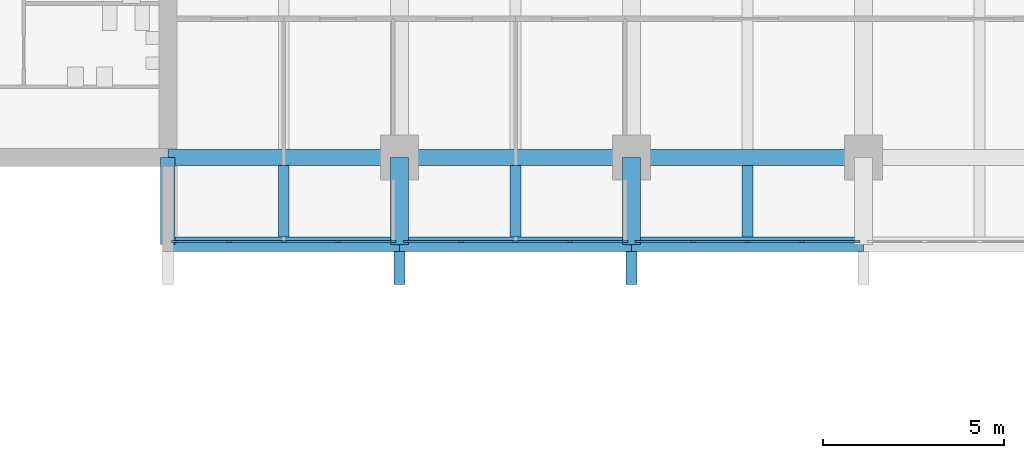
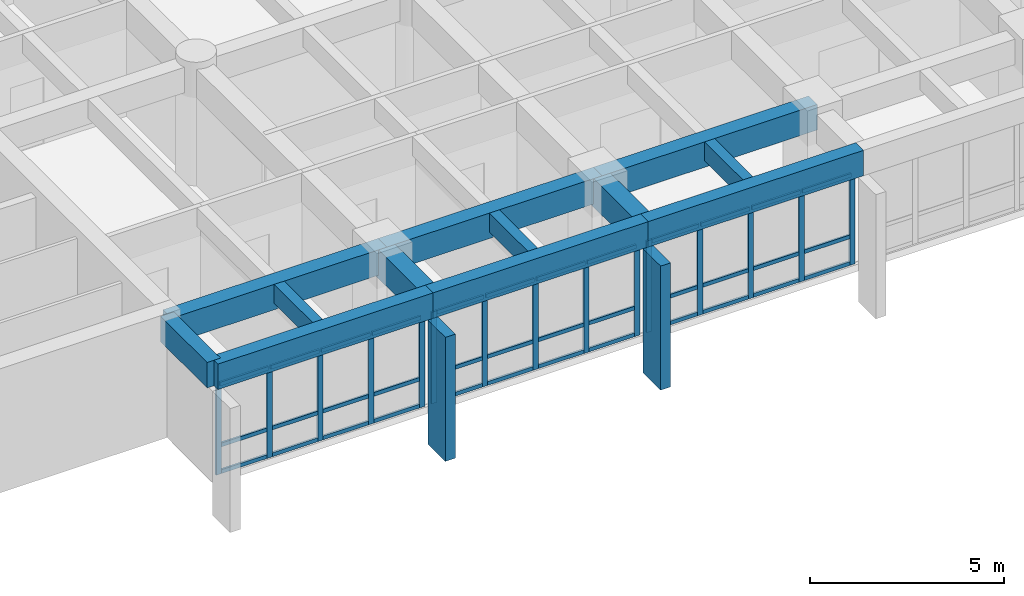
# One storey, part 2 of 19: 53 members, 12 beams, 3 elements without a shape of their own.
"""IFC4 building model written with IfcOpenShell, lengths in metres."""

from ifc_helpers import new_model, si_unit, direction, frame, origin, origin_2d, place, context, subcontext, project, spatial, rectangle, extrude, material, layer, layer_set, material_profile, profile_set, type_object, element, aggregate, save


model = new_model("IFC4")

# Units and contexts
model_context = context("Model", 3, precision=1e-05, world=origin(), true_north=direction((0.0, 1.0)))
body_context = subcontext(model_context, "Body", "Model", "MODEL_VIEW")
ifc_project = project(units=[si_unit("LENGTHUNIT", "METRE"), si_unit("AREAUNIT", "SQUARE_METRE"), si_unit("VOLUMEUNIT", "CUBIC_METRE"), si_unit("PLANEANGLEUNIT", "RADIAN"), si_unit("MASSUNIT", "GRAM", prefix="KILO")], contexts=[model_context])

# Site, building, storey
site_placement = place(None, origin())
site = spatial("IfcSite", under=ifc_project, at=site_placement, CompositionType="ELEMENT")
building_placement = place(site_placement, origin())
building = spatial("IfcBuilding", under=site, at=building_placement, Name="Fogon Plaza Fire Station and Headquarters Tower", CompositionType="ELEMENT")
storey_placement = place(building_placement, frame((0.0, 0.0, 24.89990234375)))
storey = spatial("IfcBuildingStorey", under=building, at=storey_placement, Name="L06", CompositionType="ELEMENT", Elevation=24.89990234375)

# Beams
ifc_material_1 = material(Name="Concrete C40", Category="concrete")
ifc_material_profile_1 = material_profile(ifc_material_1, rectangle(XDim=0.39990234375, YDim=0.800048828125, at=origin_2d()), Name="RC 400x800")
ifc_profile_set_1 = profile_set([ifc_material_profile_1], Name="Concrete C40")
beam_type_1 = type_object("IfcBeamType", Name="BEAM RC 400x800", PredefinedType="BEAM", material=ifc_profile_set_1)
for number, where, z_axis, x_axis, name in (
    (1, (25.60009765625, 31.199951171875, 3.280029296875), (1.0, 0.0, 0.0), (0.0, 1.0, 0.0), "beam-L06-039"),
    (2, (32.0, 31.199951171875, 3.280029296875), (1.0, 0.0, 0.0), (0.0, 1.0, 0.0), "beam-L06-040"),
):
    element("IfcBeam", number, at=place(storey_placement, frame(where, z_axis=z_axis, x_axis=x_axis)), inside=storey, type_object=beam_type_1, Name=name, PredefinedType="BEAM", context=body_context, shape_type="SweptSolid", body=[
        extrude(rectangle(XDim=0.39990234375, YDim=0.800048828125, at=origin_2d()), origin(), (0.0, 0.0, 1.0), 6.39990234375),
    ])
beam_1_placement = place(storey_placement, frame((38.39990234375, 31.199951171875, 3.280029296875), z_axis=(1.0, 0.0, 0.0), x_axis=(0.0, 1.0, 0.0)))
element("IfcBeam", 3, at=beam_1_placement, inside=storey, type_object=beam_type_1, Name="beam-L06-041", PredefinedType="BEAM", context=body_context, shape_type="SweptSolid", body=[
    extrude(rectangle(XDim=0.39990234375, YDim=0.800048828125, at=origin_2d()), origin(), (0.0, 0.0, 1.0), 6.400146484375),
])
ifc_material_2 = material(Name="Concrete C40", Category="concrete")
ifc_material_profile_2 = material_profile(ifc_material_2, rectangle(XDim=0.39990234375, YDim=0.800048828125, at=origin_2d()), Name="RC 400x800")
ifc_profile_set_2 = profile_set([ifc_material_profile_2], Name="Concrete C40")
beam_type_2 = type_object("IfcBeamType", Name="BEAM RC 400x800 SPAN 0.0 TO 3.0 M", PredefinedType="BEAM", material=ifc_profile_set_2)
beam_2_placement = place(storey_placement, frame((25.60009765625, 31.199951171875, 3.280029296875), z_axis=(0.0, 1.0, 0.0), x_axis=(-1.0, 0.0, 0.0)))
element("IfcBeam", 4, at=beam_2_placement, inside=storey, type_object=beam_type_2, Name="beam-L06-051", PredefinedType="BEAM", context=body_context, shape_type="SweptSolid", body=[
    extrude(rectangle(XDim=0.39990234375, YDim=0.800048828125, at=origin_2d()), origin(), (0.0, 0.0, 1.0), 2.400146484375),
])
ifc_material_3 = material(Name="Concrete C40", Category="concrete")
ifc_material_profile_3 = material_profile(ifc_material_3, rectangle(XDim=0.449951171875, YDim=0.800048828125, at=origin_2d()), Name="RC 450x800")
ifc_profile_set_3 = profile_set([ifc_material_profile_3], Name="Concrete C40")
beam_type_3 = type_object("IfcBeamType", Name="BEAM RC 450x800", PredefinedType="BEAM", material=ifc_profile_set_3)
for number, where, z_axis, x_axis, name in (
    (5, (25.60009765625, 33.60009765625, 3.280029296875), (1.0, 0.0, 0.0), (0.0, 1.0, 0.0), "beam-L06-021"),
    (6, (32.0, 33.60009765625, 3.280029296875), (1.0, 0.0, 0.0), (0.0, 1.0, 0.0), "beam-L06-022"),
):
    element("IfcBeam", number, at=place(storey_placement, frame(where, z_axis=z_axis, x_axis=x_axis)), inside=storey, type_object=beam_type_3, Name=name, PredefinedType="BEAM", context=body_context, shape_type="SweptSolid", body=[
        extrude(rectangle(XDim=0.449951171875, YDim=0.800048828125, at=origin_2d()), origin(), (0.0, 0.0, 1.0), 6.39990234375),
    ])
beam_3_placement = place(storey_placement, frame((38.39990234375, 33.60009765625, 3.280029296875), z_axis=(1.0, 0.0, 0.0), x_axis=(0.0, 1.0, 0.0)))
element("IfcBeam", 7, at=beam_3_placement, inside=storey, type_object=beam_type_3, Name="beam-L06-023", PredefinedType="BEAM", context=body_context, shape_type="SweptSolid", body=[
    extrude(rectangle(XDim=0.449951171875, YDim=0.800048828125, at=origin_2d()), origin(), (0.0, 0.0, 1.0), 6.400146484375),
])
ifc_material_4 = material(Name="Concrete C40", Category="concrete")
ifc_material_profile_4 = material_profile(ifc_material_4, rectangle(XDim=0.5, YDim=0.89990234375, at=origin_2d()), Name="RC 500x900")
ifc_profile_set_4 = profile_set([ifc_material_profile_4], Name="Concrete C40")
beam_type_4 = type_object("IfcBeamType", Name="BEAM RC 500x900 SPAN 0.0 TO 3.0 M", PredefinedType="BEAM", material=ifc_profile_set_4)
for number, where, z_axis, x_axis, name in (
    (8, (32.0, 31.199951171875, 3.22998046875), (0.0, 1.0, 0.0), (-1.0, 0.0, 0.0), "beam-L06-001"),
    (9, (38.39990234375, 31.199951171875, 3.22998046875), (0.0, 1.0, 0.0), (-1.0, 0.0, 0.0), "beam-L06-005"),
):
    element("IfcBeam", number, at=place(storey_placement, frame(where, z_axis=z_axis, x_axis=x_axis)), inside=storey, type_object=beam_type_4, Name=name, PredefinedType="BEAM", context=body_context, shape_type="SweptSolid", body=[
        extrude(rectangle(XDim=0.5, YDim=0.89990234375, at=origin_2d()), origin(), (0.0, 0.0, 1.0), 2.400146484375),
    ])

# Curtain wall, members
ifc_material_5 = material(Name="Aluminium and glass", Category="aluminium")
ifc_layer = layer(ifc_material_5, 0.14990234375)
ifc_layer_set = layer_set([ifc_layer], Name="Aluminium and glass")
curtain_wall_type = type_object("IfcCurtainWallType", Name="Unitised Curtain Wall Run 6100x2880", PredefinedType="NOTDEFINED", material=ifc_layer_set)
curtain_wall_1_placement = place(storey_placement, origin())
curtain_wall_1 = element("IfcCurtainWall", 10, at=curtain_wall_1_placement, inside=storey, type_object=curtain_wall_type, Name="CW-6100x2880 S1 L06", PredefinedType="NOTDEFINED")
ifc_material_6 = material(Name="Aluminium", Category="aluminium")
ifc_material_profile_5 = material_profile(ifc_material_6, rectangle(XDim=0.06005859375, YDim=0.159912109375, at=origin_2d()), Name="Curtain Wall Mullion 60x160")
ifc_profile_set_5 = profile_set([ifc_material_profile_5], Name="Aluminium")
member_type_1 = type_object("IfcMemberType", Name="Curtain Wall Mullion 60x160", PredefinedType="MULLION", material=ifc_profile_set_5)
member_1_placement = place(storey_placement, frame((25.780029296875, 31.280029296875, 0.0), z_axis=(0.0, 0.0, 1.0), x_axis=(0.0, 1.0, 0.0)))
member_1 = element("IfcMember", 11, at=member_1_placement, type_object=member_type_1, Name="CW-6100x2880 mullion 1", PredefinedType="MULLION", context=body_context, shape_type="SweptSolid", body=[
    extrude(rectangle(XDim=0.06005859375, YDim=0.159912109375, at=origin_2d()), origin(), (0.0, 0.0, 1.0), 2.880126953125),
])
member_2_placement = place(storey_placement, frame((27.2900390625, 31.280029296875, 0.0), z_axis=(0.0, 0.0, 1.0), x_axis=(0.0, 1.0, 0.0)))
member_2 = element("IfcMember", 12, at=member_2_placement, type_object=member_type_1, Name="CW-6100x2880 mullion 2", PredefinedType="MULLION", context=body_context, shape_type="SweptSolid", body=[
    extrude(rectangle(XDim=0.06005859375, YDim=0.159912109375, at=origin_2d()), origin(), (0.0, 0.0, 1.0), 2.880126953125),
])
member_3_placement = place(storey_placement, frame((28.800048828125, 31.280029296875, 0.0), z_axis=(0.0, 0.0, 1.0), x_axis=(0.0, 1.0, 0.0)))
member_3 = element("IfcMember", 13, at=member_3_placement, type_object=member_type_1, Name="CW-6100x2880 mullion 3", PredefinedType="MULLION", context=body_context, shape_type="SweptSolid", body=[
    extrude(rectangle(XDim=0.06005859375, YDim=0.159912109375, at=origin_2d()), origin(), (0.0, 0.0, 1.0), 2.880126953125),
])
member_4_placement = place(storey_placement, frame((30.31005859375, 31.280029296875, 0.0), z_axis=(0.0, 0.0, 1.0), x_axis=(0.0, 1.0, 0.0)))
member_4 = element("IfcMember", 14, at=member_4_placement, type_object=member_type_1, Name="CW-6100x2880 mullion 4", PredefinedType="MULLION", context=body_context, shape_type="SweptSolid", body=[
    extrude(rectangle(XDim=0.06005859375, YDim=0.159912109375, at=origin_2d()), origin(), (0.0, 0.0, 1.0), 2.880126953125),
])
member_5_placement = place(storey_placement, frame((31.820068359375, 31.280029296875, 0.0), z_axis=(0.0, 0.0, 1.0), x_axis=(0.0, 1.0, 0.0)))
member_5 = element("IfcMember", 15, at=member_5_placement, type_object=member_type_1, Name="CW-6100x2880 mullion 5", PredefinedType="MULLION", context=body_context, shape_type="SweptSolid", body=[
    extrude(rectangle(XDim=0.06005859375, YDim=0.159912109375, at=origin_2d()), origin(), (0.0, 0.0, 1.0), 2.880126953125),
])

curtain_wall_2_placement = place(storey_placement, origin())
curtain_wall_2 = element("IfcCurtainWall", 16, at=curtain_wall_2_placement, inside=storey, type_object=curtain_wall_type, Name="CW-6100x2880 S2 L06", PredefinedType="NOTDEFINED")
member_6_placement = place(storey_placement, frame((32.179931640625, 31.280029296875, 0.0), z_axis=(0.0, 0.0, 1.0), x_axis=(0.0, 1.0, 0.0)))
member_6 = element("IfcMember", 17, at=member_6_placement, type_object=member_type_1, Name="CW-6100x2880 mullion 1", PredefinedType="MULLION", context=body_context, shape_type="SweptSolid", body=[
    extrude(rectangle(XDim=0.06005859375, YDim=0.159912109375, at=origin_2d()), origin(), (0.0, 0.0, 1.0), 2.880126953125),
])
member_7_placement = place(storey_placement, frame((33.68994140625, 31.280029296875, 0.0), z_axis=(0.0, 0.0, 1.0), x_axis=(0.0, 1.0, 0.0)))
member_7 = element("IfcMember", 18, at=member_7_placement, type_object=member_type_1, Name="CW-6100x2880 mullion 2", PredefinedType="MULLION", context=body_context, shape_type="SweptSolid", body=[
    extrude(rectangle(XDim=0.06005859375, YDim=0.159912109375, at=origin_2d()), origin(), (0.0, 0.0, 1.0), 2.880126953125),
])
member_8_placement = place(storey_placement, frame((35.199951171875, 31.280029296875, 0.0), z_axis=(0.0, 0.0, 1.0), x_axis=(0.0, 1.0, 0.0)))
member_8 = element("IfcMember", 19, at=member_8_placement, type_object=member_type_1, Name="CW-6100x2880 mullion 3", PredefinedType="MULLION", context=body_context, shape_type="SweptSolid", body=[
    extrude(rectangle(XDim=0.06005859375, YDim=0.159912109375, at=origin_2d()), origin(), (0.0, 0.0, 1.0), 2.880126953125),
])
member_9_placement = place(storey_placement, frame((36.7099609375, 31.280029296875, 0.0), z_axis=(0.0, 0.0, 1.0), x_axis=(0.0, 1.0, 0.0)))
member_9 = element("IfcMember", 20, at=member_9_placement, type_object=member_type_1, Name="CW-6100x2880 mullion 4", PredefinedType="MULLION", context=body_context, shape_type="SweptSolid", body=[
    extrude(rectangle(XDim=0.06005859375, YDim=0.159912109375, at=origin_2d()), origin(), (0.0, 0.0, 1.0), 2.880126953125),
])
member_10_placement = place(storey_placement, frame((38.219970703125, 31.280029296875, 0.0), z_axis=(0.0, 0.0, 1.0), x_axis=(0.0, 1.0, 0.0)))
member_10 = element("IfcMember", 21, at=member_10_placement, type_object=member_type_1, Name="CW-6100x2880 mullion 5", PredefinedType="MULLION", context=body_context, shape_type="SweptSolid", body=[
    extrude(rectangle(XDim=0.06005859375, YDim=0.159912109375, at=origin_2d()), origin(), (0.0, 0.0, 1.0), 2.880126953125),
])

curtain_wall_3_placement = place(storey_placement, origin())
curtain_wall_3 = element("IfcCurtainWall", 22, at=curtain_wall_3_placement, inside=storey, type_object=curtain_wall_type, Name="CW-6100x2880 S3 L06", PredefinedType="NOTDEFINED")
member_11_placement = place(storey_placement, frame((38.580078125, 31.280029296875, 0.0), z_axis=(0.0, 0.0, 1.0), x_axis=(0.0, 1.0, 0.0)))
member_11 = element("IfcMember", 23, at=member_11_placement, type_object=member_type_1, Name="CW-6100x2880 mullion 1", PredefinedType="MULLION", context=body_context, shape_type="SweptSolid", body=[
    extrude(rectangle(XDim=0.06005859375, YDim=0.159912109375, at=origin_2d()), origin(), (0.0, 0.0, 1.0), 2.880126953125),
])
member_12_placement = place(storey_placement, frame((40.090087890625, 31.280029296875, 0.0), z_axis=(0.0, 0.0, 1.0), x_axis=(0.0, 1.0, 0.0)))
member_12 = element("IfcMember", 24, at=member_12_placement, type_object=member_type_1, Name="CW-6100x2880 mullion 2", PredefinedType="MULLION", context=body_context, shape_type="SweptSolid", body=[
    extrude(rectangle(XDim=0.06005859375, YDim=0.159912109375, at=origin_2d()), origin(), (0.0, 0.0, 1.0), 2.880126953125),
])
member_13_placement = place(storey_placement, frame((41.60009765625, 31.280029296875, 0.0), z_axis=(0.0, 0.0, 1.0), x_axis=(0.0, 1.0, 0.0)))
member_13 = element("IfcMember", 25, at=member_13_placement, type_object=member_type_1, Name="CW-6100x2880 mullion 3", PredefinedType="MULLION", context=body_context, shape_type="SweptSolid", body=[
    extrude(rectangle(XDim=0.06005859375, YDim=0.159912109375, at=origin_2d()), origin(), (0.0, 0.0, 1.0), 2.880126953125),
])
member_14_placement = place(storey_placement, frame((43.110107421875, 31.280029296875, 0.0), z_axis=(0.0, 0.0, 1.0), x_axis=(0.0, 1.0, 0.0)))
member_14 = element("IfcMember", 26, at=member_14_placement, type_object=member_type_1, Name="CW-6100x2880 mullion 4", PredefinedType="MULLION", context=body_context, shape_type="SweptSolid", body=[
    extrude(rectangle(XDim=0.06005859375, YDim=0.159912109375, at=origin_2d()), origin(), (0.0, 0.0, 1.0), 2.880126953125),
])
member_15_placement = place(storey_placement, frame((44.6201171875, 31.280029296875, 0.0), z_axis=(0.0, 0.0, 1.0), x_axis=(0.0, 1.0, 0.0)))
member_15 = element("IfcMember", 27, at=member_15_placement, type_object=member_type_1, Name="CW-6100x2880 mullion 5", PredefinedType="MULLION", context=body_context, shape_type="SweptSolid", body=[
    extrude(rectangle(XDim=0.06005859375, YDim=0.159912109375, at=origin_2d()), origin(), (0.0, 0.0, 1.0), 2.880126953125),
])

# Member
ifc_material_7 = material(Name="Aluminium", Category="aluminium")
ifc_material_profile_6 = material_profile(ifc_material_7, rectangle(XDim=0.06005859375, YDim=0.1201171875, at=origin_2d()), Name="Curtain Wall Transom 60x120")
ifc_profile_set_6 = profile_set([ifc_material_profile_6], Name="Aluminium")
member_type_2 = type_object("IfcMemberType", Name="Curtain Wall Transom 60x120", PredefinedType="USERDEFINED", material=ifc_profile_set_6)
member_16_placement = place(storey_placement, frame((25.81005859375, 31.280029296875, 0.06005859375), z_axis=(1.0, 0.0, 0.0), x_axis=(0.0, 1.0, 0.0)))
member_16 = element("IfcMember", 28, at=member_16_placement, type_object=member_type_2, Name="CW-6100x2880 transom 1.1", ObjectType="TRANSOM", PredefinedType="USERDEFINED", context=body_context, shape_type="SweptSolid", body=[
    extrude(rectangle(XDim=0.06005859375, YDim=0.1201171875, at=origin_2d()), origin(), (0.0, 0.0, 1.0), 1.449951171875),
])

member_17_placement = place(storey_placement, frame((25.81005859375, 31.280029296875, 0.900146484375), z_axis=(1.0, 0.0, 0.0), x_axis=(0.0, 1.0, 0.0)))
member_17 = element("IfcMember", 29, at=member_17_placement, type_object=member_type_2, Name="CW-6100x2880 transom 1.2", ObjectType="TRANSOM", PredefinedType="USERDEFINED", context=body_context, shape_type="SweptSolid", body=[
    extrude(rectangle(XDim=0.06005859375, YDim=0.1201171875, at=origin_2d()), origin(), (0.0, 0.0, 1.0), 1.449951171875),
])

member_18_placement = place(storey_placement, frame((25.81005859375, 31.280029296875, 2.820068359375), z_axis=(1.0, 0.0, 0.0), x_axis=(0.0, 1.0, 0.0)))
member_18 = element("IfcMember", 30, at=member_18_placement, type_object=member_type_2, Name="CW-6100x2880 transom 1.3", ObjectType="TRANSOM", PredefinedType="USERDEFINED", context=body_context, shape_type="SweptSolid", body=[
    extrude(rectangle(XDim=0.06005859375, YDim=0.1201171875, at=origin_2d()), origin(), (0.0, 0.0, 1.0), 1.449951171875),
])

member_19_placement = place(storey_placement, frame((27.320068359375, 31.280029296875, 0.06005859375), z_axis=(1.0, 0.0, 0.0), x_axis=(0.0, 1.0, 0.0)))
member_19 = element("IfcMember", 31, at=member_19_placement, type_object=member_type_2, Name="CW-6100x2880 transom 2.1", ObjectType="TRANSOM", PredefinedType="USERDEFINED", context=body_context, shape_type="SweptSolid", body=[
    extrude(rectangle(XDim=0.06005859375, YDim=0.1201171875, at=origin_2d()), origin(), (0.0, 0.0, 1.0), 1.449951171875),
])

member_20_placement = place(storey_placement, frame((27.320068359375, 31.280029296875, 0.900146484375), z_axis=(1.0, 0.0, 0.0), x_axis=(0.0, 1.0, 0.0)))
member_20 = element("IfcMember", 32, at=member_20_placement, type_object=member_type_2, Name="CW-6100x2880 transom 2.2", ObjectType="TRANSOM", PredefinedType="USERDEFINED", context=body_context, shape_type="SweptSolid", body=[
    extrude(rectangle(XDim=0.06005859375, YDim=0.1201171875, at=origin_2d()), origin(), (0.0, 0.0, 1.0), 1.449951171875),
])

member_21_placement = place(storey_placement, frame((27.320068359375, 31.280029296875, 2.820068359375), z_axis=(1.0, 0.0, 0.0), x_axis=(0.0, 1.0, 0.0)))
member_21 = element("IfcMember", 33, at=member_21_placement, type_object=member_type_2, Name="CW-6100x2880 transom 2.3", ObjectType="TRANSOM", PredefinedType="USERDEFINED", context=body_context, shape_type="SweptSolid", body=[
    extrude(rectangle(XDim=0.06005859375, YDim=0.1201171875, at=origin_2d()), origin(), (0.0, 0.0, 1.0), 1.449951171875),
])

member_22_placement = place(storey_placement, frame((28.830078125, 31.280029296875, 0.06005859375), z_axis=(1.0, 0.0, 0.0), x_axis=(0.0, 1.0, 0.0)))
member_22 = element("IfcMember", 34, at=member_22_placement, type_object=member_type_2, Name="CW-6100x2880 transom 3.1", ObjectType="TRANSOM", PredefinedType="USERDEFINED", context=body_context, shape_type="SweptSolid", body=[
    extrude(rectangle(XDim=0.06005859375, YDim=0.1201171875, at=origin_2d()), origin(), (0.0, 0.0, 1.0), 1.449951171875),
])

member_23_placement = place(storey_placement, frame((28.830078125, 31.280029296875, 0.900146484375), z_axis=(1.0, 0.0, 0.0), x_axis=(0.0, 1.0, 0.0)))
member_23 = element("IfcMember", 35, at=member_23_placement, type_object=member_type_2, Name="CW-6100x2880 transom 3.2", ObjectType="TRANSOM", PredefinedType="USERDEFINED", context=body_context, shape_type="SweptSolid", body=[
    extrude(rectangle(XDim=0.06005859375, YDim=0.1201171875, at=origin_2d()), origin(), (0.0, 0.0, 1.0), 1.449951171875),
])

member_24_placement = place(storey_placement, frame((28.830078125, 31.280029296875, 2.820068359375), z_axis=(1.0, 0.0, 0.0), x_axis=(0.0, 1.0, 0.0)))
member_24 = element("IfcMember", 36, at=member_24_placement, type_object=member_type_2, Name="CW-6100x2880 transom 3.3", ObjectType="TRANSOM", PredefinedType="USERDEFINED", context=body_context, shape_type="SweptSolid", body=[
    extrude(rectangle(XDim=0.06005859375, YDim=0.1201171875, at=origin_2d()), origin(), (0.0, 0.0, 1.0), 1.449951171875),
])

member_25_placement = place(storey_placement, frame((30.340087890625, 31.280029296875, 0.06005859375), z_axis=(1.0, 0.0, 0.0), x_axis=(0.0, 1.0, 0.0)))
member_25 = element("IfcMember", 37, at=member_25_placement, type_object=member_type_2, Name="CW-6100x2880 transom 4.1", ObjectType="TRANSOM", PredefinedType="USERDEFINED", context=body_context, shape_type="SweptSolid", body=[
    extrude(rectangle(XDim=0.06005859375, YDim=0.1201171875, at=origin_2d()), origin(), (0.0, 0.0, 1.0), 1.449951171875),
])

member_26_placement = place(storey_placement, frame((30.340087890625, 31.280029296875, 0.900146484375), z_axis=(1.0, 0.0, 0.0), x_axis=(0.0, 1.0, 0.0)))
member_26 = element("IfcMember", 38, at=member_26_placement, type_object=member_type_2, Name="CW-6100x2880 transom 4.2", ObjectType="TRANSOM", PredefinedType="USERDEFINED", context=body_context, shape_type="SweptSolid", body=[
    extrude(rectangle(XDim=0.06005859375, YDim=0.1201171875, at=origin_2d()), origin(), (0.0, 0.0, 1.0), 1.449951171875),
])

member_27_placement = place(storey_placement, frame((30.340087890625, 31.280029296875, 2.820068359375), z_axis=(1.0, 0.0, 0.0), x_axis=(0.0, 1.0, 0.0)))
member_27 = element("IfcMember", 39, at=member_27_placement, type_object=member_type_2, Name="CW-6100x2880 transom 4.3", ObjectType="TRANSOM", PredefinedType="USERDEFINED", context=body_context, shape_type="SweptSolid", body=[
    extrude(rectangle(XDim=0.06005859375, YDim=0.1201171875, at=origin_2d()), origin(), (0.0, 0.0, 1.0), 1.449951171875),
])

aggregate(curtain_wall_1, [member_1, member_2, member_3, member_4, member_5, member_16, member_17, member_18, member_19, member_20, member_21, member_22, member_23, member_24, member_25, member_26, member_27])

member_28_placement = place(storey_placement, frame((32.2099609375, 31.280029296875, 0.06005859375), z_axis=(1.0, 0.0, 0.0), x_axis=(0.0, 1.0, 0.0)))
member_28 = element("IfcMember", 40, at=member_28_placement, type_object=member_type_2, Name="CW-6100x2880 transom 1.1", ObjectType="TRANSOM", PredefinedType="USERDEFINED", context=body_context, shape_type="SweptSolid", body=[
    extrude(rectangle(XDim=0.06005859375, YDim=0.1201171875, at=origin_2d()), origin(), (0.0, 0.0, 1.0), 1.449951171875),
])

member_29_placement = place(storey_placement, frame((32.2099609375, 31.280029296875, 0.900146484375), z_axis=(1.0, 0.0, 0.0), x_axis=(0.0, 1.0, 0.0)))
member_29 = element("IfcMember", 41, at=member_29_placement, type_object=member_type_2, Name="CW-6100x2880 transom 1.2", ObjectType="TRANSOM", PredefinedType="USERDEFINED", context=body_context, shape_type="SweptSolid", body=[
    extrude(rectangle(XDim=0.06005859375, YDim=0.1201171875, at=origin_2d()), origin(), (0.0, 0.0, 1.0), 1.449951171875),
])

member_30_placement = place(storey_placement, frame((32.2099609375, 31.280029296875, 2.820068359375), z_axis=(1.0, 0.0, 0.0), x_axis=(0.0, 1.0, 0.0)))
member_30 = element("IfcMember", 42, at=member_30_placement, type_object=member_type_2, Name="CW-6100x2880 transom 1.3", ObjectType="TRANSOM", PredefinedType="USERDEFINED", context=body_context, shape_type="SweptSolid", body=[
    extrude(rectangle(XDim=0.06005859375, YDim=0.1201171875, at=origin_2d()), origin(), (0.0, 0.0, 1.0), 1.449951171875),
])

member_31_placement = place(storey_placement, frame((33.719970703125, 31.280029296875, 0.06005859375), z_axis=(1.0, 0.0, 0.0), x_axis=(0.0, 1.0, 0.0)))
member_31 = element("IfcMember", 43, at=member_31_placement, type_object=member_type_2, Name="CW-6100x2880 transom 2.1", ObjectType="TRANSOM", PredefinedType="USERDEFINED", context=body_context, shape_type="SweptSolid", body=[
    extrude(rectangle(XDim=0.06005859375, YDim=0.1201171875, at=origin_2d()), origin(), (0.0, 0.0, 1.0), 1.449951171875),
])

member_32_placement = place(storey_placement, frame((33.719970703125, 31.280029296875, 0.900146484375), z_axis=(1.0, 0.0, 0.0), x_axis=(0.0, 1.0, 0.0)))
member_32 = element("IfcMember", 44, at=member_32_placement, type_object=member_type_2, Name="CW-6100x2880 transom 2.2", ObjectType="TRANSOM", PredefinedType="USERDEFINED", context=body_context, shape_type="SweptSolid", body=[
    extrude(rectangle(XDim=0.06005859375, YDim=0.1201171875, at=origin_2d()), origin(), (0.0, 0.0, 1.0), 1.449951171875),
])

member_33_placement = place(storey_placement, frame((33.719970703125, 31.280029296875, 2.820068359375), z_axis=(1.0, 0.0, 0.0), x_axis=(0.0, 1.0, 0.0)))
member_33 = element("IfcMember", 45, at=member_33_placement, type_object=member_type_2, Name="CW-6100x2880 transom 2.3", ObjectType="TRANSOM", PredefinedType="USERDEFINED", context=body_context, shape_type="SweptSolid", body=[
    extrude(rectangle(XDim=0.06005859375, YDim=0.1201171875, at=origin_2d()), origin(), (0.0, 0.0, 1.0), 1.449951171875),
])

member_34_placement = place(storey_placement, frame((35.22998046875, 31.280029296875, 0.06005859375), z_axis=(1.0, 0.0, 0.0), x_axis=(0.0, 1.0, 0.0)))
member_34 = element("IfcMember", 46, at=member_34_placement, type_object=member_type_2, Name="CW-6100x2880 transom 3.1", ObjectType="TRANSOM", PredefinedType="USERDEFINED", context=body_context, shape_type="SweptSolid", body=[
    extrude(rectangle(XDim=0.06005859375, YDim=0.1201171875, at=origin_2d()), origin(), (0.0, 0.0, 1.0), 1.449951171875),
])

member_35_placement = place(storey_placement, frame((35.22998046875, 31.280029296875, 0.900146484375), z_axis=(1.0, 0.0, 0.0), x_axis=(0.0, 1.0, 0.0)))
member_35 = element("IfcMember", 47, at=member_35_placement, type_object=member_type_2, Name="CW-6100x2880 transom 3.2", ObjectType="TRANSOM", PredefinedType="USERDEFINED", context=body_context, shape_type="SweptSolid", body=[
    extrude(rectangle(XDim=0.06005859375, YDim=0.1201171875, at=origin_2d()), origin(), (0.0, 0.0, 1.0), 1.449951171875),
])

member_36_placement = place(storey_placement, frame((35.22998046875, 31.280029296875, 2.820068359375), z_axis=(1.0, 0.0, 0.0), x_axis=(0.0, 1.0, 0.0)))
member_36 = element("IfcMember", 48, at=member_36_placement, type_object=member_type_2, Name="CW-6100x2880 transom 3.3", ObjectType="TRANSOM", PredefinedType="USERDEFINED", context=body_context, shape_type="SweptSolid", body=[
    extrude(rectangle(XDim=0.06005859375, YDim=0.1201171875, at=origin_2d()), origin(), (0.0, 0.0, 1.0), 1.449951171875),
])

member_37_placement = place(storey_placement, frame((36.739990234375, 31.280029296875, 0.06005859375), z_axis=(1.0, 0.0, 0.0), x_axis=(0.0, 1.0, 0.0)))
member_37 = element("IfcMember", 49, at=member_37_placement, type_object=member_type_2, Name="CW-6100x2880 transom 4.1", ObjectType="TRANSOM", PredefinedType="USERDEFINED", context=body_context, shape_type="SweptSolid", body=[
    extrude(rectangle(XDim=0.06005859375, YDim=0.1201171875, at=origin_2d()), origin(), (0.0, 0.0, 1.0), 1.449951171875),
])

member_38_placement = place(storey_placement, frame((36.739990234375, 31.280029296875, 0.900146484375), z_axis=(1.0, 0.0, 0.0), x_axis=(0.0, 1.0, 0.0)))
member_38 = element("IfcMember", 50, at=member_38_placement, type_object=member_type_2, Name="CW-6100x2880 transom 4.2", ObjectType="TRANSOM", PredefinedType="USERDEFINED", context=body_context, shape_type="SweptSolid", body=[
    extrude(rectangle(XDim=0.06005859375, YDim=0.1201171875, at=origin_2d()), origin(), (0.0, 0.0, 1.0), 1.449951171875),
])

member_39_placement = place(storey_placement, frame((36.739990234375, 31.280029296875, 2.820068359375), z_axis=(1.0, 0.0, 0.0), x_axis=(0.0, 1.0, 0.0)))
member_39 = element("IfcMember", 51, at=member_39_placement, type_object=member_type_2, Name="CW-6100x2880 transom 4.3", ObjectType="TRANSOM", PredefinedType="USERDEFINED", context=body_context, shape_type="SweptSolid", body=[
    extrude(rectangle(XDim=0.06005859375, YDim=0.1201171875, at=origin_2d()), origin(), (0.0, 0.0, 1.0), 1.449951171875),
])

aggregate(curtain_wall_2, [member_6, member_7, member_8, member_9, member_10, member_28, member_29, member_30, member_31, member_32, member_33, member_34, member_35, member_36, member_37, member_38, member_39])

member_40_placement = place(storey_placement, frame((38.610107421875, 31.280029296875, 0.06005859375), z_axis=(1.0, 0.0, 0.0), x_axis=(0.0, 1.0, 0.0)))
member_40 = element("IfcMember", 52, at=member_40_placement, type_object=member_type_2, Name="CW-6100x2880 transom 1.1", ObjectType="TRANSOM", PredefinedType="USERDEFINED", context=body_context, shape_type="SweptSolid", body=[
    extrude(rectangle(XDim=0.06005859375, YDim=0.1201171875, at=origin_2d()), origin(), (0.0, 0.0, 1.0), 1.449951171875),
])

member_41_placement = place(storey_placement, frame((38.610107421875, 31.280029296875, 0.900146484375), z_axis=(1.0, 0.0, 0.0), x_axis=(0.0, 1.0, 0.0)))
member_41 = element("IfcMember", 53, at=member_41_placement, type_object=member_type_2, Name="CW-6100x2880 transom 1.2", ObjectType="TRANSOM", PredefinedType="USERDEFINED", context=body_context, shape_type="SweptSolid", body=[
    extrude(rectangle(XDim=0.06005859375, YDim=0.1201171875, at=origin_2d()), origin(), (0.0, 0.0, 1.0), 1.449951171875),
])

member_42_placement = place(storey_placement, frame((38.610107421875, 31.280029296875, 2.820068359375), z_axis=(1.0, 0.0, 0.0), x_axis=(0.0, 1.0, 0.0)))
member_42 = element("IfcMember", 54, at=member_42_placement, type_object=member_type_2, Name="CW-6100x2880 transom 1.3", ObjectType="TRANSOM", PredefinedType="USERDEFINED", context=body_context, shape_type="SweptSolid", body=[
    extrude(rectangle(XDim=0.06005859375, YDim=0.1201171875, at=origin_2d()), origin(), (0.0, 0.0, 1.0), 1.449951171875),
])

member_43_placement = place(storey_placement, frame((40.1201171875, 31.280029296875, 0.06005859375), z_axis=(1.0, 0.0, 0.0), x_axis=(0.0, 1.0, 0.0)))
member_43 = element("IfcMember", 55, at=member_43_placement, type_object=member_type_2, Name="CW-6100x2880 transom 2.1", ObjectType="TRANSOM", PredefinedType="USERDEFINED", context=body_context, shape_type="SweptSolid", body=[
    extrude(rectangle(XDim=0.06005859375, YDim=0.1201171875, at=origin_2d()), origin(), (0.0, 0.0, 1.0), 1.449951171875),
])

member_44_placement = place(storey_placement, frame((40.1201171875, 31.280029296875, 0.900146484375), z_axis=(1.0, 0.0, 0.0), x_axis=(0.0, 1.0, 0.0)))
member_44 = element("IfcMember", 56, at=member_44_placement, type_object=member_type_2, Name="CW-6100x2880 transom 2.2", ObjectType="TRANSOM", PredefinedType="USERDEFINED", context=body_context, shape_type="SweptSolid", body=[
    extrude(rectangle(XDim=0.06005859375, YDim=0.1201171875, at=origin_2d()), origin(), (0.0, 0.0, 1.0), 1.449951171875),
])

member_45_placement = place(storey_placement, frame((40.1201171875, 31.280029296875, 2.820068359375), z_axis=(1.0, 0.0, 0.0), x_axis=(0.0, 1.0, 0.0)))
member_45 = element("IfcMember", 57, at=member_45_placement, type_object=member_type_2, Name="CW-6100x2880 transom 2.3", ObjectType="TRANSOM", PredefinedType="USERDEFINED", context=body_context, shape_type="SweptSolid", body=[
    extrude(rectangle(XDim=0.06005859375, YDim=0.1201171875, at=origin_2d()), origin(), (0.0, 0.0, 1.0), 1.449951171875),
])

member_46_placement = place(storey_placement, frame((41.6298828125, 31.280029296875, 0.06005859375), z_axis=(1.0, 0.0, 0.0), x_axis=(0.0, 1.0, 0.0)))
member_46 = element("IfcMember", 58, at=member_46_placement, type_object=member_type_2, Name="CW-6100x2880 transom 3.1", ObjectType="TRANSOM", PredefinedType="USERDEFINED", context=body_context, shape_type="SweptSolid", body=[
    extrude(rectangle(XDim=0.06005859375, YDim=0.1201171875, at=origin_2d()), origin(), (0.0, 0.0, 1.0), 1.4501953125),
])

member_47_placement = place(storey_placement, frame((41.6298828125, 31.280029296875, 0.900146484375), z_axis=(1.0, 0.0, 0.0), x_axis=(0.0, 1.0, 0.0)))
member_47 = element("IfcMember", 59, at=member_47_placement, type_object=member_type_2, Name="CW-6100x2880 transom 3.2", ObjectType="TRANSOM", PredefinedType="USERDEFINED", context=body_context, shape_type="SweptSolid", body=[
    extrude(rectangle(XDim=0.06005859375, YDim=0.1201171875, at=origin_2d()), origin(), (0.0, 0.0, 1.0), 1.4501953125),
])

member_48_placement = place(storey_placement, frame((41.6298828125, 31.280029296875, 2.820068359375), z_axis=(1.0, 0.0, 0.0), x_axis=(0.0, 1.0, 0.0)))
member_48 = element("IfcMember", 60, at=member_48_placement, type_object=member_type_2, Name="CW-6100x2880 transom 3.3", ObjectType="TRANSOM", PredefinedType="USERDEFINED", context=body_context, shape_type="SweptSolid", body=[
    extrude(rectangle(XDim=0.06005859375, YDim=0.1201171875, at=origin_2d()), origin(), (0.0, 0.0, 1.0), 1.4501953125),
])

member_49_placement = place(storey_placement, frame((43.139892578125, 31.280029296875, 0.06005859375), z_axis=(1.0, 0.0, 0.0), x_axis=(0.0, 1.0, 0.0)))
member_49 = element("IfcMember", 61, at=member_49_placement, type_object=member_type_2, Name="CW-6100x2880 transom 4.1", ObjectType="TRANSOM", PredefinedType="USERDEFINED", context=body_context, shape_type="SweptSolid", body=[
    extrude(rectangle(XDim=0.06005859375, YDim=0.1201171875, at=origin_2d()), origin(), (0.0, 0.0, 1.0), 1.4501953125),
])

member_50_placement = place(storey_placement, frame((43.139892578125, 31.280029296875, 0.900146484375), z_axis=(1.0, 0.0, 0.0), x_axis=(0.0, 1.0, 0.0)))
member_50 = element("IfcMember", 62, at=member_50_placement, type_object=member_type_2, Name="CW-6100x2880 transom 4.2", ObjectType="TRANSOM", PredefinedType="USERDEFINED", context=body_context, shape_type="SweptSolid", body=[
    extrude(rectangle(XDim=0.06005859375, YDim=0.1201171875, at=origin_2d()), origin(), (0.0, 0.0, 1.0), 1.4501953125),
])

member_51_placement = place(storey_placement, frame((43.139892578125, 31.280029296875, 2.820068359375), z_axis=(1.0, 0.0, 0.0), x_axis=(0.0, 1.0, 0.0)))
member_51 = element("IfcMember", 63, at=member_51_placement, type_object=member_type_2, Name="CW-6100x2880 transom 4.3", ObjectType="TRANSOM", PredefinedType="USERDEFINED", context=body_context, shape_type="SweptSolid", body=[
    extrude(rectangle(XDim=0.06005859375, YDim=0.1201171875, at=origin_2d()), origin(), (0.0, 0.0, 1.0), 1.4501953125),
])

aggregate(curtain_wall_3, [member_11, member_12, member_13, member_14, member_15, member_40, member_41, member_42, member_43, member_44, member_45, member_46, member_47, member_48, member_49, member_50, member_51])

# Beams
ifc_material_8 = material(Name="Concrete C40", Category="concrete")
ifc_material_profile_7 = material_profile(ifc_material_8, rectangle(XDim=0.300048828125, YDim=0.60009765625, at=origin_2d()), Name="RC 300x600")
ifc_profile_set_7 = profile_set([ifc_material_profile_7], Name="Concrete C40")
beam_type_5 = type_object("IfcBeamType", Name="JOIST RC 300x600 SPAN 0.0 TO 3.0 M", PredefinedType="JOIST", material=ifc_profile_set_7)
for number, where, z_axis, x_axis, name in (
    (64, (28.800048828125, 31.39990234375, 3.380126953125), (0.0, 1.0, 0.0), (-1.0, 0.0, 0.0), "beam-L06-055"),
    (65, (35.199951171875, 31.39990234375, 3.380126953125), (0.0, 1.0, 0.0), (-1.0, 0.0, 0.0), "beam-L06-059"),
    (66, (41.60009765625, 31.39990234375, 3.380126953125), (0.0, 1.0, 0.0), (-1.0, 0.0, 0.0), "beam-L06-063"),
):
    element("IfcBeam", number, at=place(storey_placement, frame(where, z_axis=z_axis, x_axis=x_axis)), inside=storey, type_object=beam_type_5, Name=name, PredefinedType="JOIST", context=body_context, shape_type="SweptSolid", body=[
        extrude(rectangle(XDim=0.300048828125, YDim=0.60009765625, at=origin_2d()), origin(), (0.0, 0.0, 1.0), 1.97509765625),
    ])

# Members
ifc_material_9 = material(Name="Concrete C40 precast", Category="concrete")
ifc_material_profile_8 = material_profile(ifc_material_9, rectangle(XDim=0.300048828125, YDim=0.89990234375, at=origin_2d()), Name="Precast Concrete Post 300x900")
ifc_profile_set_8 = profile_set([ifc_material_profile_8], Name="Concrete C40 precast")
member_type_3 = type_object("IfcMemberType", Name="Precast Concrete Post 300x900", PredefinedType="POST", material=ifc_profile_set_8)
for number, where, z_axis, x_axis, name in (
    (67, (32.0, 30.550048828125, -1.02001953125), (0.0, 0.0, 1.0), (1.0, 0.0, 0.0), "Precast Post S L06"),
    (68, (38.39990234375, 30.550048828125, -1.02001953125), (0.0, 0.0, 1.0), (1.0, 0.0, 0.0), "Precast Post S L06"),
):
    element("IfcMember", number, at=place(storey_placement, frame(where, z_axis=z_axis, x_axis=x_axis)), inside=storey, type_object=member_type_3, Name=name, PredefinedType="POST", context=body_context, shape_type="SweptSolid", body=[
        extrude(rectangle(XDim=0.300048828125, YDim=0.89990234375, at=origin_2d()), origin(), (0.0, 0.0, 1.0), 3.900146484375),
    ])

save(model, "model.ifc")
